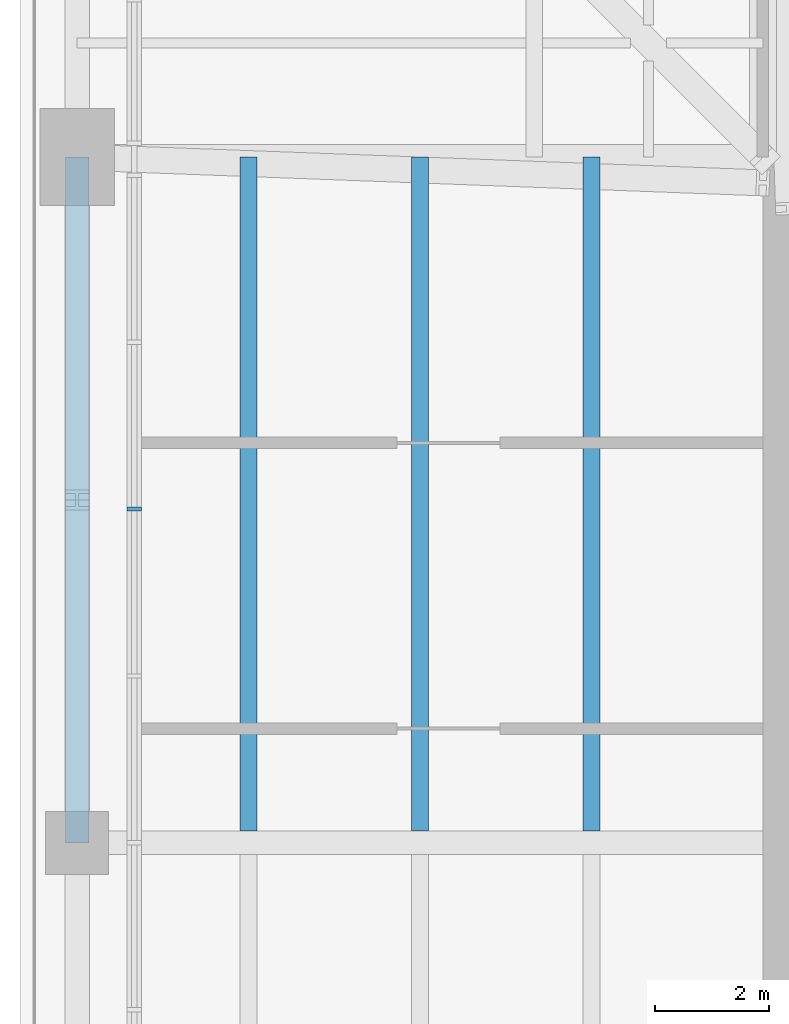
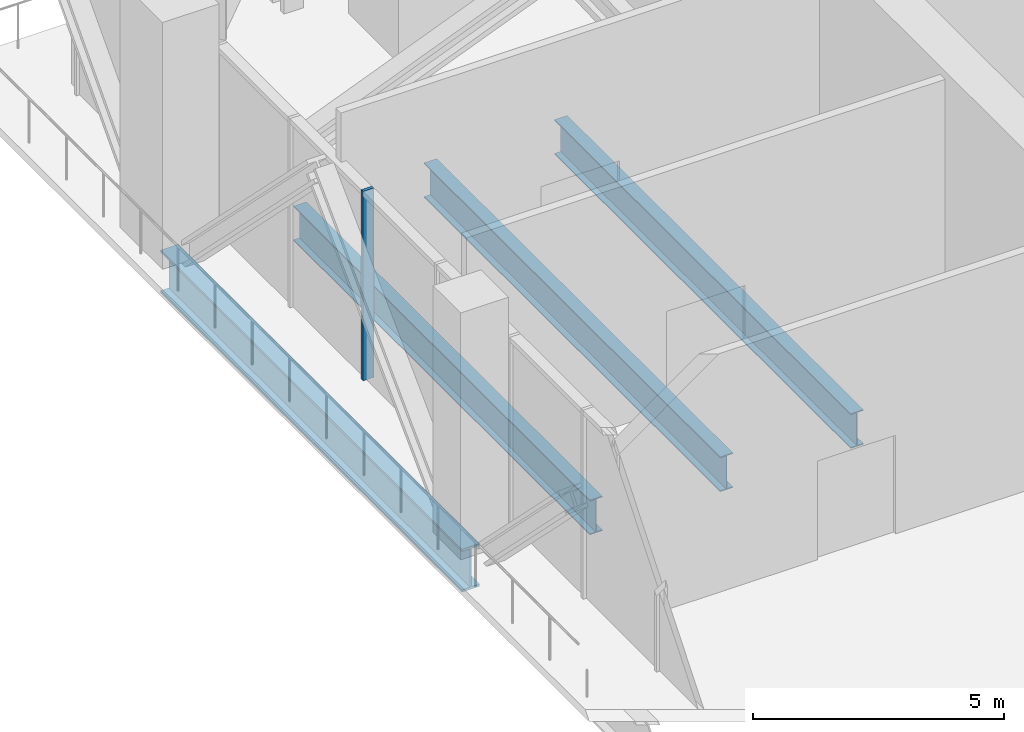
# One storey, part 4 of 14: 4 beams, 1 member, 1 element without a shape of its own.
"""IFC4 building model written with IfcOpenShell, lengths in metres."""

import ifcopenshell
import ifcopenshell.guid

model = None  # the IFC model being written
_history = None  # IfcOwnerHistory: only IFC2X3 demands one
_inside = {}  # id of a spatial element -> (the spatial element, [elements in it])
_under = {}  # id of a project, library or spatial element -> (it, [spatial elements below it])
_declared = {}  # id of a project -> (the project, [libraries it declares])
_typed = {}  # id of a type object -> (the type object, [elements of that type])
_made_of = {}  # id of a material, layer set ... -> (it, [elements and type objects made of it])


def new_model(schema):
    """Start an empty IFC model of exactly this schema.

    Asked for "IFC4X3", IfcOpenShell would pick the latest addendum, in which some entities
    have other attributes; the version numbers below select the first issue.
    IFC2X3 requires an IfcOwnerHistory on every rooted entity: one is made here for all.
    """
    global model, _history
    if schema == "IFC4X3":
        model = ifcopenshell.file(schema_version=(4, 3, 0, 0))
    else:
        model = ifcopenshell.file(schema=schema)
    _inside.clear()
    _under.clear()
    _declared.clear()
    _typed.clear()
    _made_of.clear()
    _history = None
    if model.schema == "IFC2X3":
        org = make("IfcOrganization", Name="unknown")
        user = make(
            "IfcPersonAndOrganization",
            ThePerson=make("IfcPerson", FamilyName="unknown"),
            TheOrganization=org,
        )
        app = make(
            "IfcApplication",
            ApplicationDeveloper=org,
            Version="unknown",
            ApplicationFullName="unknown",
            ApplicationIdentifier="unknown",
        )
        _history = make(
            "IfcOwnerHistory",
            OwningUser=user,
            OwningApplication=app,
            ChangeAction="ADDED",
            CreationDate=0,
        )
    return model


def make(cls, **values):
    """One entity of the class cls with the attributes given. An attribute that is None is left unset."""
    return model.create_entity(
        cls, **{name: value for name, value in values.items() if value is not None}
    )


def rooted(cls, **values):
    """An entity with a GlobalId (a new one), such as an element, a storey or a relation."""
    return make(cls, GlobalId=ifcopenshell.guid.new(), OwnerHistory=_history, **values)


def si_unit(unit_type, name, prefix=None):
    """IfcSIUnit, for example si_unit("LENGTHUNIT", "METRE", prefix="MILLI")."""
    return make("IfcSIUnit", UnitType=unit_type, Prefix=prefix, Name=name)


def assignment(units):
    """IfcUnitAssignment: the units of a project."""
    return None if units is None else make("IfcUnitAssignment", Units=units)


def point(xyz):
    """IfcCartesianPoint."""
    return None if xyz is None else make("IfcCartesianPoint", Coordinates=xyz)


def direction(xyz):
    """IfcDirection."""
    return None if xyz is None else make("IfcDirection", DirectionRatios=xyz)


def frame(location, z_axis=None, x_axis=None):
    """IfcAxis2Placement3D, a coordinate frame: its origin and axes. An axis left out is left unset."""
    return make(
        "IfcAxis2Placement3D",
        Location=point(location),
        Axis=direction(z_axis),
        RefDirection=direction(x_axis),
    )


def frame_2d(location, x_axis=None):
    """IfcAxis2Placement2D, a coordinate frame in the plane: its origin and x axis."""
    return make(
        "IfcAxis2Placement2D", Location=point(location), RefDirection=direction(x_axis)
    )


def origin():
    """The frame at (0, 0, 0) with its axes left unset."""
    return frame((0.0, 0.0, 0.0))


def origin_2d():
    """The frame at (0, 0) in the plane with its x axis left unset."""
    return frame_2d((0.0, 0.0))


def place(relative_to, where):
    """IfcLocalPlacement: puts the frame where relative to a parent placement (None: the world)."""
    return make(
        "IfcLocalPlacement", PlacementRelTo=relative_to, RelativePlacement=where
    )


def context(
    kind, dimensions, precision=None, world=None, true_north=None, identifier=None
):
    """IfcGeometricRepresentationContext, for example the 3D "Model" context."""
    return make(
        "IfcGeometricRepresentationContext",
        ContextIdentifier=identifier,
        ContextType=kind,
        CoordinateSpaceDimension=dimensions,
        Precision=precision,
        WorldCoordinateSystem=world,
        TrueNorth=true_north,
    )


def subcontext(parent, identifier, kind, view, scale=None):
    """IfcGeometricRepresentationSubContext, for example "Body" below "Model"."""
    return make(
        "IfcGeometricRepresentationSubContext",
        ContextIdentifier=identifier,
        ContextType=kind,
        ParentContext=parent,
        TargetScale=scale,
        TargetView=view,
    )


def project(units=None, contexts=None):
    """IfcProject with its units and contexts."""
    return rooted(
        "IfcProject",
        Name="project",
        RepresentationContexts=contexts,
        UnitsInContext=assignment(units),
    )


def spatial(cls, under=None, at=None, **own):
    """A site, building, storey or space (cls), placed at a placement, below another one or the project."""
    s = rooted(cls, ObjectPlacement=at, **own)
    if under is not None:
        _under.setdefault(under.id(), (under, []))[1].append(s)
    return s


def profile(cls, at=None, kind="AREA", **sizes):
    """A parametric profile (cls). Its sizes go by their IFC names, for example OverallWidth=200.0."""
    return make(cls, ProfileType=kind, Position=at, **sizes)


def rectangle(**sizes):
    """IfcRectangleProfileDef."""
    return profile("IfcRectangleProfileDef", **sizes)


def i_section(**sizes):
    """IfcIShapeProfileDef."""
    return profile("IfcIShapeProfileDef", **sizes)


def extrude(swept, where, along, depth):
    """IfcExtrudedAreaSolid: the profile swept, set in the frame where, extruded along a direction by depth."""
    return make(
        "IfcExtrudedAreaSolid",
        SweptArea=swept,
        Position=where,
        ExtrudedDirection=direction(along),
        Depth=depth,
    )


def shape(context_of_items, identifier, shape_type, items):
    """IfcShapeRepresentation: the items that make up one representation, for example the "Body"."""
    return make(
        "IfcShapeRepresentation",
        ContextOfItems=context_of_items,
        RepresentationIdentifier=identifier,
        RepresentationType=shape_type,
        Items=items,
    )


def material(Name=None, Category=None):
    """IfcMaterial."""
    return make("IfcMaterial", Name=Name, Category=Category)


def material_profile(
    of_material, cross_section, Name=None, Category=None, Priority=None
):
    """IfcMaterialProfile: a cross section and its material."""
    return make(
        "IfcMaterialProfile",
        Name=Name,
        Material=of_material,
        Profile=cross_section,
        Priority=Priority,
        Category=Category,
    )


def profile_set(profiles, Name=None, composite=None):
    """IfcMaterialProfileSet."""
    return make(
        "IfcMaterialProfileSet",
        Name=Name,
        MaterialProfiles=profiles,
        CompositeProfile=composite,
    )


def made_of(thing, what):
    """Note that an element or type object is made of a material, layer set ...; save() writes the relation."""
    if what is not None:
        _made_of.setdefault(what.id(), (what, []))[1].append(thing)
    return thing


def type_object(cls, material=None, **own):
    """A type object (cls), such as IfcWallType, which elements share."""
    return made_of(rooted(cls, **own), material)


def element(
    cls,
    number,
    at=None,
    inside=None,
    cuts=None,
    type_object=None,
    material=None,
    context=None,
    identifier="Body",
    shape_type=None,
    held_by="IfcProductDefinitionShape",
    body=None,
    shapes=None,
    **own,
):
    """One element of the class cls, such as IfcWall. Its Tag is "e" and its number.

    at: its placement. inside: the storey or other place that contains it. cuts: it is an
    opening in that element (IfcRelVoidsElement). A single representation is given by context,
    identifier, shape_type and body (its items); several are given by shapes. held_by: the class
    of the entity that holds the representations. save() writes the other relations.
    """
    e = rooted(cls, Tag="e%d" % number, ObjectPlacement=at, **own)
    if body is not None:
        shapes = [shape(context, identifier, shape_type, body)]
    if shapes is not None:
        e.Representation = make(held_by, Representations=shapes)
    if inside is not None:
        _inside.setdefault(inside.id(), (inside, []))[1].append(e)
    if cuts is not None:
        rooted(
            "IfcRelVoidsElement", RelatingBuildingElement=cuts, RelatedOpeningElement=e
        )
    if type_object is not None:
        _typed.setdefault(type_object.id(), (type_object, []))[1].append(e)
    return made_of(e, material)


def aggregate(whole, parts):
    """IfcRelAggregates: a whole, such as a stair, and the parts it consists of."""
    return rooted("IfcRelAggregates", RelatingObject=whole, RelatedObjects=parts)


def save(model, path):
    """Write the relations noted so far, then the file.

    IfcRelAggregates (storeys below a building ...), IfcRelContainedInSpatialStructure (elements
    in a storey), IfcRelDefinesByType, IfcRelAssociatesMaterial and IfcRelDeclares: one each for
    every whole, place, type object, material and project.
    """
    for whole, parts in _under.values():
        aggregate(whole, parts)
    for where, things in _inside.values():
        rooted(
            "IfcRelContainedInSpatialStructure",
            RelatedElements=things,
            RelatingStructure=where,
        )
    for kind, things in _typed.values():
        rooted("IfcRelDefinesByType", RelatedObjects=things, RelatingType=kind)
    for what, things in _made_of.values():
        rooted("IfcRelAssociatesMaterial", RelatedObjects=things, RelatingMaterial=what)
    for by, libraries in _declared.values():
        rooted("IfcRelDeclares", RelatingContext=by, RelatedDefinitions=libraries)
    model.write(path)


model = new_model("IFC4")

# Units and contexts
model_context = context("Model", 3, precision=1e-05, world=origin(), true_north=direction((0.0, 1.0)))
body_context = subcontext(model_context, "Body", "Model", "MODEL_VIEW")
ifc_project = project(units=[si_unit("LENGTHUNIT", "METRE"), si_unit("AREAUNIT", "SQUARE_METRE"), si_unit("VOLUMEUNIT", "CUBIC_METRE"), si_unit("PLANEANGLEUNIT", "RADIAN"), si_unit("MASSUNIT", "GRAM", prefix="KILO")], contexts=[model_context])

# Site, building, storey
site_placement = place(None, origin())
site = spatial("IfcSite", under=ifc_project, at=site_placement, CompositionType="ELEMENT")
building_placement = place(site_placement, origin())
building = spatial("IfcBuilding", under=site, at=building_placement, Name="Fenwick Lantern Interchange", CompositionType="ELEMENT")
storey_placement = place(building_placement, frame((0.0, 0.0, 233.800048828125)))
storey = spatial("IfcBuildingStorey", under=building, at=storey_placement, Name="L55", CompositionType="ELEMENT", Elevation=233.800048828125)

# Beams
ifc_material_1 = material(Name="Steel ASTM A992 Grade 50", Category="steel")
ifc_material_profile_1 = material_profile(ifc_material_1, i_section(OverallWidth=0.408935546875, OverallDepth=1.04150390625, WebThickness=0.031005859375, FlangeThickness=0.055908203125, at=origin_2d()), Name="W40X397")
ifc_profile_set_1 = profile_set([ifc_material_profile_1], Name="Steel ASTM A992 Grade 50")
beam_type_1 = type_object("IfcBeamType", Name="EDGE BEAM W40X397", PredefinedType="SPANDREL", material=ifc_profile_set_1)
beam_placement = place(storey_placement, frame((1.0, 37.0, -0.720703125), z_axis=(0.0, -1.0, 0.0), x_axis=(1.0, 0.0, 0.0)))
element("IfcBeam", 1, at=beam_placement, inside=storey, type_object=beam_type_1, Name="L55/FR/W/EB2", PredefinedType="SPANDREL", context=body_context, shape_type="SweptSolid", body=[
    extrude(i_section(OverallWidth=0.408935546875, OverallDepth=1.04150390625, WebThickness=0.031005859375, FlangeThickness=0.055908203125, at=origin_2d()), origin(), (0.0, 0.0, 1.0), 12.0),
])
ifc_material_profile_2 = material_profile(ifc_material_1, i_section(OverallWidth=0.2919921875, OverallDepth=0.845703125, WebThickness=0.015380859375, FlangeThickness=0.0244140625, at=origin_2d()), Name="W33X141")
ifc_profile_set_2 = profile_set([ifc_material_profile_2], Name="Steel ASTM A992 Grade 50")
beam_type_2 = type_object("IfcBeamType", Name="FLOOR BEAM W33X141", PredefinedType="BEAM", material=ifc_profile_set_2)
for number, where, z_axis, x_axis, name in (
    (2, (4.0, 37.0, -0.623046875), (0.0, -1.0, 0.0), (1.0, 0.0, 0.0), "L55/FR/W/B01"),
    (3, (7.0, 37.0, -0.623046875), (0.0, -1.0, 0.0), (1.0, 0.0, 0.0), "L55/FR/W/B02"),
    (4, (10.0, 37.0, -0.623046875), (0.0, -1.0, 0.0), (1.0, 0.0, 0.0), "L55/FR/W/B03"),
):
    element("IfcBeam", number, at=place(storey_placement, frame(where, z_axis=z_axis, x_axis=x_axis)), inside=storey, type_object=beam_type_2, Name=name, PredefinedType="BEAM", context=body_context, shape_type="SweptSolid", body=[
        extrude(i_section(OverallWidth=0.2919921875, OverallDepth=0.845703125, WebThickness=0.015380859375, FlangeThickness=0.0244140625, at=origin_2d()), origin(), (0.0, 0.0, 1.0), 11.79541015625),
    ])

# Curtain wall, member
ifc_material_2 = material(Name="Aluminium curtain wall frame", Category="aluminium")
curtain_wall_type = type_object("IfcCurtainWallType", Name="PLANT LOUVRE SCREEN", PredefinedType="USERDEFINED", material=ifc_material_2)
curtain_wall_placement = place(storey_placement, origin())
curtain_wall = element("IfcCurtainWall", 5, at=curtain_wall_placement, inside=storey, type_object=curtain_wall_type, Name="Plant louvre screen 12B", ObjectType="PLANT LOUVRE SCREEN", PredefinedType="USERDEFINED")
ifc_material_3 = material(Name="Aluminium extrusion", Category="aluminium")
ifc_material_profile_3 = material_profile(ifc_material_3, rectangle(XDim=0.25, YDim=0.074951171875, at=origin_2d()), Name="PLANT LOUVRE SCREEN MULLION 75 X 250")
ifc_profile_set_3 = profile_set([ifc_material_profile_3], Name="Aluminium extrusion")
member_type = type_object("IfcMemberType", Name="PLANT LOUVRE SCREEN MULLION 75 X 250", PredefinedType="MULLION", material=ifc_profile_set_3)
member_placement = place(storey_placement, frame((2.0, 30.84130859375, 0.0), z_axis=(0.0, 0.0, 1.0), x_axis=(1.0, 0.0, 0.0)))
member = element("IfcMember", 6, at=member_placement, type_object=member_type, Name="L55/CW/12B/M02", PredefinedType="MULLION", context=body_context, shape_type="SweptSolid", body=[
    extrude(rectangle(XDim=0.25, YDim=0.074951171875, at=origin_2d()), origin(), (0.0, 0.0, 1.0), 4.599853515625),
])
aggregate(curtain_wall, [member])

save(model, "model.ifc")
